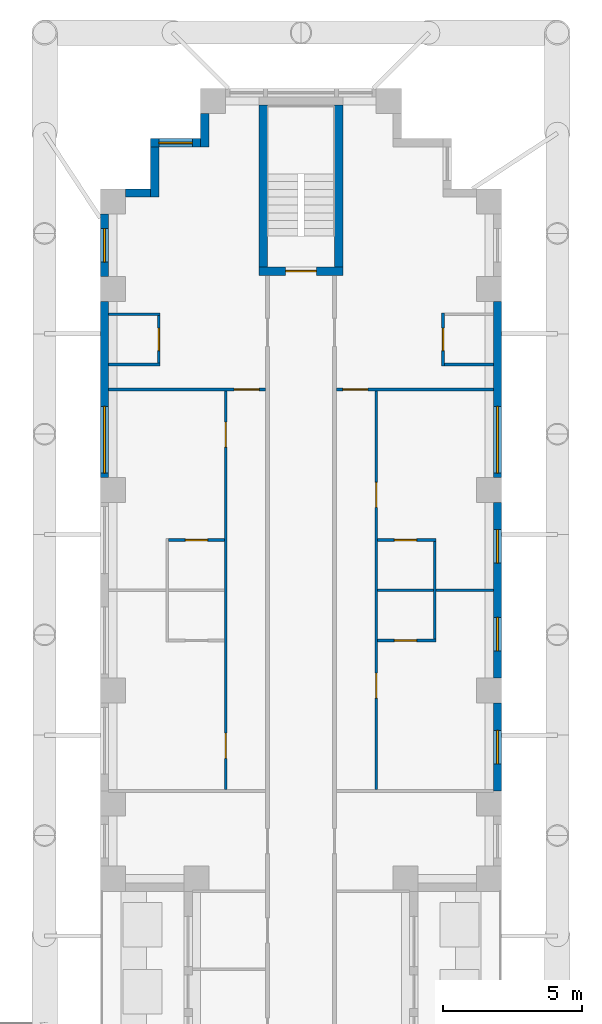
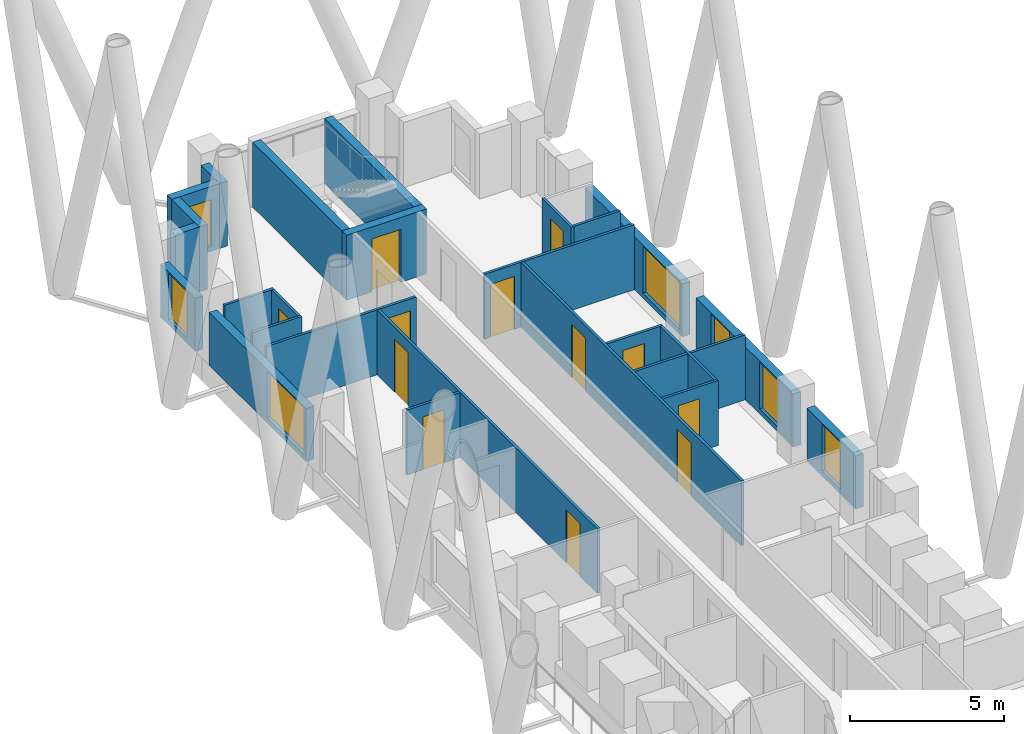
# One storey, part 12 of 16: 26 walls, 12 doors, 7 windows, 19 openings.
"""IFC4 building model written with IfcOpenShell, lengths in metres."""

from ifc_helpers import new_model, si_unit, direction, frame, frame_2d, origin, place, context, subcontext, project, spatial, rectangle, extrude, material, layer, layer_set, type_object, element, fill, save


model = new_model("IFC4")

# Units and contexts
model_context = context("Model", 3, precision=1e-05, world=origin(), true_north=direction((0.0, 1.0)))
body_context = subcontext(model_context, "Body", "Model", "MODEL_VIEW")
ifc_project = project(units=[si_unit("LENGTHUNIT", "METRE"), si_unit("AREAUNIT", "SQUARE_METRE"), si_unit("VOLUMEUNIT", "CUBIC_METRE"), si_unit("PLANEANGLEUNIT", "RADIAN"), si_unit("MASSUNIT", "GRAM", prefix="KILO")], contexts=[model_context])

# Site, building, storey
site_placement = place(None, origin())
site = spatial("IfcSite", under=ifc_project, at=site_placement, CompositionType="ELEMENT")
building_placement = place(site_placement, origin())
building = spatial("IfcBuilding", under=site, at=building_placement, Name="Fustian Cross Tower", CompositionType="ELEMENT")
storey_placement = place(building_placement, frame((0.0, 0.0, 20.699951171875)))
storey = spatial("IfcBuildingStorey", under=building, at=storey_placement, Name="L05", CompositionType="ELEMENT", Elevation=20.699951171875)

# Wall, opening, door
ifc_material_1 = material(Name="Plasterboard on steel stud", Category="steel")
ifc_layer_1 = layer(ifc_material_1, 0.10009765625)
ifc_layer_set_1 = layer_set([ifc_layer_1], Name="Plasterboard on steel stud")
wall_type_1 = type_object("IfcWallType", Name="PARTITION 100 STUD", PredefinedType="PARTITIONING", material=ifc_layer_set_1)
wall_1_placement = place(storey_placement, frame((-6.89990234375, 32.39990234375, 0.0), z_axis=(0.0, 0.0, 1.0), x_axis=(1.0, 0.0, 0.0)))
wall_1 = element("IfcWall", 1, at=wall_1_placement, inside=storey, type_object=wall_type_1, Name="Partition 26", PredefinedType="PARTITIONING", context=body_context, shape_type="SweptSolid", body=[
    extrude(rectangle(XDim=5.625, YDim=0.10009765625, at=frame_2d((2.8125, 0.0))), origin(), (0.0, 0.0, 1.0), 2.574951171875),
])
opening_1_placement = place(wall_1_placement, frame((4.5, 0.0, 0.0)))
opening_1 = element("IfcOpeningElement", 2, at=opening_1_placement, cuts=wall_1, Name="Opening D05027", PredefinedType="OPENING", context=body_context, shape_type="SweptSolid", body=[
    extrude(rectangle(XDim=0.89990234375, YDim=2.10009765625, at=frame_2d((0.449951171875, 1.050048828125))), frame((0.0, 0.06005859375, 0.0), z_axis=(0.0, -1.0, 0.0), x_axis=(1.0, 0.0, 0.0)), (0.0, 0.0, 1.0), 0.1201171875),
])
ifc_material_2 = material(Name="Painted timber", Category="wood")
door_type_1 = type_object("IfcDoorType", Name="SWING DOOR 900", OperationType="SINGLE_SWING_LEFT", PredefinedType="DOOR", material=ifc_material_2)
door_1_placement = place(opening_1_placement, frame((0.89990234375, 0.0, 0.0), z_axis=(0.0, 0.0, 1.0), x_axis=(-1.0, 0.0, 0.0)))
door_1 = element("IfcDoor", 3, at=door_1_placement, inside=storey, type_object=door_type_1, Name="Door D05027", OperationType="SINGLE_SWING_RIGHT", OverallHeight=2.10009765625, OverallWidth=0.89990234375, PredefinedType="DOOR", context=body_context, shape_type="SweptSolid", body=[
    extrude(rectangle(XDim=0.89990234375, YDim=2.10009765625, at=frame_2d((0.449951171875, 1.050048828125))), frame((0.0, 0.02490234375, 0.0), z_axis=(0.0, -1.0, 0.0), x_axis=(1.0, 0.0, 0.0)), (0.0, 0.0, 1.0), 0.050048828125),
])
fill(opening_1, door_1)

# Walls
for number, where, z_axis, x_axis, name in (
    (4, (-6.89990234375, 33.300048828125, 0.0), (0.0, 0.0, 1.0), (1.0, 0.0, 0.0), "Partition 27"),
    (5, (-6.89990234375, 35.10009765625, 0.0), (0.0, 0.0, 1.0), (1.0, 0.0, 0.0), "Partition 28"),
):
    element("IfcWall", number, at=place(storey_placement, frame(where, z_axis=z_axis, x_axis=x_axis)), inside=storey, type_object=wall_type_1, Name=name, PredefinedType="PARTITIONING", context=body_context, shape_type="SweptSolid", body=[
        extrude(rectangle(XDim=1.849853515625, YDim=0.10009765625, at=frame_2d((0.9248046875, 0.0))), origin(), (0.0, 0.0, 1.0), 2.574951171875),
    ])

# Wall, opening, door
wall_2_placement = place(storey_placement, frame((-5.10009765625, 33.35009765625, 0.0), z_axis=(0.0, 0.0, 1.0), x_axis=(0.0, 1.0, 0.0)))
wall_2 = element("IfcWall", 6, at=wall_2_placement, inside=storey, type_object=wall_type_1, Name="Partition 32", PredefinedType="PARTITIONING", context=body_context, shape_type="SweptSolid", body=[
    extrude(rectangle(XDim=1.699951171875, YDim=0.10009765625, at=frame_2d((0.85009765625, 0.0))), origin(), (0.0, 0.0, 1.0), 2.574951171875),
])
opening_2_placement = place(wall_2_placement, frame((0.449951171875, 0.0, 0.0)))
opening_2 = element("IfcOpeningElement", 7, at=opening_2_placement, cuts=wall_2, Name="Opening D05023", PredefinedType="OPENING", context=body_context, shape_type="SweptSolid", body=[
    extrude(rectangle(XDim=0.800048828125, YDim=2.10009765625, at=frame_2d((0.39990234375, 1.050048828125))), frame((0.0, 0.06005859375, 0.0), z_axis=(0.0, -1.0, 0.0), x_axis=(1.0, 0.0, 0.0)), (0.0, 0.0, 1.0), 0.1201171875),
])
ifc_material_3 = material(Name="Painted timber", Category="wood")
door_type_2 = type_object("IfcDoorType", Name="SWING DOOR 800", OperationType="SINGLE_SWING_LEFT", PredefinedType="DOOR", material=ifc_material_3)
door_2_placement = place(opening_2_placement, origin())
door_2 = element("IfcDoor", 8, at=door_2_placement, inside=storey, type_object=door_type_2, Name="Door D05023", OperationType="SINGLE_SWING_RIGHT", OverallHeight=2.10009765625, OverallWidth=0.800048828125, PredefinedType="DOOR", context=body_context, shape_type="SweptSolid", body=[
    extrude(rectangle(XDim=0.800048828125, YDim=2.10009765625, at=frame_2d((0.39990234375, 1.050048828125))), frame((0.0, 0.02490234375, 0.0), z_axis=(0.0, -1.0, 0.0), x_axis=(1.0, 0.0, 0.0)), (0.0, 0.0, 1.0), 0.050048828125),
])
fill(opening_2, door_2)

wall_3_placement = place(storey_placement, frame((-4.75, 27.0, 0.0), z_axis=(0.0, 0.0, 1.0), x_axis=(1.0, 0.0, 0.0)))
wall_3 = element("IfcWall", 9, at=wall_3_placement, inside=storey, type_object=wall_type_1, Name="Partition 41", PredefinedType="PARTITIONING", context=body_context, shape_type="SweptSolid", body=[
    extrude(rectangle(XDim=2.0, YDim=0.10009765625, at=frame_2d((1.0, 0.0))), origin(), (0.0, 0.0, 1.0), 2.574951171875),
])
opening_3_placement = place(wall_3_placement, frame((0.60009765625, 0.0, 0.0)))
opening_3 = element("IfcOpeningElement", 10, at=opening_3_placement, cuts=wall_3, Name="Opening D05029", PredefinedType="OPENING", context=body_context, shape_type="SweptSolid", body=[
    extrude(rectangle(XDim=0.800048828125, YDim=2.10009765625, at=frame_2d((0.39990234375, 1.050048828125))), frame((0.0, 0.06005859375, 0.0), z_axis=(0.0, -1.0, 0.0), x_axis=(1.0, 0.0, 0.0)), (0.0, 0.0, 1.0), 0.1201171875),
])
door_3_placement = place(opening_3_placement, frame((0.800048828125, 0.0, 0.0), z_axis=(0.0, 0.0, 1.0), x_axis=(-1.0, 0.0, 0.0)))
door_3 = element("IfcDoor", 11, at=door_3_placement, inside=storey, type_object=door_type_2, Name="Door D05029", OperationType="SINGLE_SWING_RIGHT", OverallHeight=2.10009765625, OverallWidth=0.800048828125, PredefinedType="DOOR", context=body_context, shape_type="SweptSolid", body=[
    extrude(rectangle(XDim=0.800048828125, YDim=2.10009765625, at=frame_2d((0.39990234375, 1.050048828125))), frame((0.0, 0.02490234375, 0.0), z_axis=(0.0, -1.0, 0.0), x_axis=(1.0, 0.0, 0.0)), (0.0, 0.0, 1.0), 0.050048828125),
])
fill(opening_3, door_3)

# Wall, openings, doors
wall_4_placement = place(storey_placement, frame((-2.699951171875, 18.050048828125, 0.0), z_axis=(0.0, 0.0, 1.0), x_axis=(0.0, 1.0, 0.0)))
wall_4 = element("IfcWall", 12, at=wall_4_placement, inside=storey, type_object=wall_type_1, Name="Partition 50", PredefinedType="PARTITIONING", context=body_context, shape_type="SweptSolid", body=[
    extrude(rectangle(XDim=14.300048828125, YDim=0.10009765625, at=frame_2d((7.14990234375, 0.0))), origin(), (0.0, 0.0, 1.0), 2.574951171875),
])
opening_4_placement = place(wall_4_placement, frame((1.1201171875, 0.0, 0.0)))
opening_4 = element("IfcOpeningElement", 13, at=opening_4_placement, cuts=wall_4, Name="Opening D05025", PredefinedType="OPENING", context=body_context, shape_type="SweptSolid", body=[
    extrude(rectangle(XDim=0.89990234375, YDim=2.10009765625, at=frame_2d((0.449951171875, 1.050048828125))), frame((0.0, 0.06005859375, 0.0), z_axis=(0.0, -1.0, 0.0), x_axis=(1.0, 0.0, 0.0)), (0.0, 0.0, 1.0), 0.1201171875),
])
opening_5_placement = place(wall_4_placement, frame((12.280029296875, 0.0, 0.0)))
opening_5 = element("IfcOpeningElement", 14, at=opening_5_placement, cuts=wall_4, Name="Opening D05026", PredefinedType="OPENING", context=body_context, shape_type="SweptSolid", body=[
    extrude(rectangle(XDim=0.89990234375, YDim=2.10009765625, at=frame_2d((0.449951171875, 1.050048828125))), frame((0.0, 0.06005859375, 0.0), z_axis=(0.0, -1.0, 0.0), x_axis=(1.0, 0.0, 0.0)), (0.0, 0.0, 1.0), 0.1201171875),
])
door_4_placement = place(opening_4_placement, frame((0.89990234375, 0.0, 0.0), z_axis=(0.0, 0.0, 1.0), x_axis=(-1.0, 0.0, 0.0)))
door_4 = element("IfcDoor", 15, at=door_4_placement, inside=storey, type_object=door_type_1, Name="Door D05025", OperationType="SINGLE_SWING_RIGHT", OverallHeight=2.10009765625, OverallWidth=0.89990234375, PredefinedType="DOOR", context=body_context, shape_type="SweptSolid", body=[
    extrude(rectangle(XDim=0.89990234375, YDim=2.10009765625, at=frame_2d((0.449951171875, 1.050048828125))), frame((0.0, 0.02490234375, 0.0), z_axis=(0.0, -1.0, 0.0), x_axis=(1.0, 0.0, 0.0)), (0.0, 0.0, 1.0), 0.050048828125),
])
fill(opening_4, door_4)
door_5_placement = place(opening_5_placement, frame((0.89990234375, 0.0, 0.0), z_axis=(0.0, 0.0, 1.0), x_axis=(-1.0, 0.0, 0.0)))
door_5 = element("IfcDoor", 16, at=door_5_placement, inside=storey, type_object=door_type_1, Name="Door D05026", OperationType="SINGLE_SWING_LEFT", OverallHeight=2.10009765625, OverallWidth=0.89990234375, PredefinedType="DOOR", context=body_context, shape_type="SweptSolid", body=[
    extrude(rectangle(XDim=0.89990234375, YDim=2.10009765625, at=frame_2d((0.449951171875, 1.050048828125))), frame((0.0, 0.02490234375, 0.0), z_axis=(0.0, -1.0, 0.0), x_axis=(1.0, 0.0, 0.0)), (0.0, 0.0, 1.0), 0.050048828125),
])
fill(opening_5, door_5)

# Wall, opening, door
wall_5_placement = place(storey_placement, frame((1.27490234375, 32.39990234375, 0.0), z_axis=(0.0, 0.0, 1.0), x_axis=(1.0, 0.0, 0.0)))
wall_5 = element("IfcWall", 17, at=wall_5_placement, inside=storey, type_object=wall_type_1, Name="Partition 63", PredefinedType="PARTITIONING", context=body_context, shape_type="SweptSolid", body=[
    extrude(rectangle(XDim=5.625, YDim=0.10009765625, at=frame_2d((2.8125, 0.0))), origin(), (0.0, 0.0, 1.0), 2.574951171875),
])
opening_6_placement = place(wall_5_placement, frame((0.22509765625, 0.0, 0.0)))
opening_6 = element("IfcOpeningElement", 18, at=opening_6_placement, cuts=wall_5, Name="Opening D05034", PredefinedType="OPENING", context=body_context, shape_type="SweptSolid", body=[
    extrude(rectangle(XDim=0.89990234375, YDim=2.10009765625, at=frame_2d((0.449951171875, 1.050048828125))), frame((0.0, 0.06005859375, 0.0), z_axis=(0.0, -1.0, 0.0), x_axis=(1.0, 0.0, 0.0)), (0.0, 0.0, 1.0), 0.1201171875),
])
door_6_placement = place(opening_6_placement, frame((0.89990234375, 0.0, 0.0), z_axis=(0.0, 0.0, 1.0), x_axis=(-1.0, 0.0, 0.0)))
door_6 = element("IfcDoor", 19, at=door_6_placement, inside=storey, type_object=door_type_1, Name="Door D05034", OperationType="SINGLE_SWING_RIGHT", OverallHeight=2.10009765625, OverallWidth=0.89990234375, PredefinedType="DOOR", context=body_context, shape_type="SweptSolid", body=[
    extrude(rectangle(XDim=0.89990234375, YDim=2.10009765625, at=frame_2d((0.449951171875, 1.050048828125))), frame((0.0, 0.02490234375, 0.0), z_axis=(0.0, -1.0, 0.0), x_axis=(1.0, 0.0, 0.0)), (0.0, 0.0, 1.0), 0.050048828125),
])
fill(opening_6, door_6)

# Wall, openings, doors
wall_6_placement = place(storey_placement, frame((2.699951171875, 18.050048828125, 0.0), z_axis=(0.0, 0.0, 1.0), x_axis=(0.0, 1.0, 0.0)))
wall_6 = element("IfcWall", 20, at=wall_6_placement, inside=storey, type_object=wall_type_1, Name="Partition 75", PredefinedType="PARTITIONING", context=body_context, shape_type="SweptSolid", body=[
    extrude(rectangle(XDim=14.300048828125, YDim=0.10009765625, at=frame_2d((7.14990234375, 0.0))), origin(), (0.0, 0.0, 1.0), 2.574951171875),
])
opening_7_placement = place(wall_6_placement, frame((3.280029296875, 0.0, 0.0)))
opening_7 = element("IfcOpeningElement", 21, at=opening_7_placement, cuts=wall_6, Name="Opening D05035", PredefinedType="OPENING", context=body_context, shape_type="SweptSolid", body=[
    extrude(rectangle(XDim=0.89990234375, YDim=2.10009765625, at=frame_2d((0.449951171875, 1.050048828125))), frame((0.0, 0.06005859375, 0.0), z_axis=(0.0, -1.0, 0.0), x_axis=(1.0, 0.0, 0.0)), (0.0, 0.0, 1.0), 0.1201171875),
])
opening_8_placement = place(wall_6_placement, frame((10.119873046875, 0.0, 0.0)))
opening_8 = element("IfcOpeningElement", 22, at=opening_8_placement, cuts=wall_6, Name="Opening D05036", PredefinedType="OPENING", context=body_context, shape_type="SweptSolid", body=[
    extrude(rectangle(XDim=0.89990234375, YDim=2.10009765625, at=frame_2d((0.449951171875, 1.050048828125))), frame((0.0, 0.06005859375, 0.0), z_axis=(0.0, -1.0, 0.0), x_axis=(1.0, 0.0, 0.0)), (0.0, 0.0, 1.0), 0.1201171875),
])
door_7_placement = place(opening_7_placement, origin())
door_7 = element("IfcDoor", 23, at=door_7_placement, inside=storey, type_object=door_type_1, Name="Door D05035", OperationType="SINGLE_SWING_LEFT", OverallHeight=2.10009765625, OverallWidth=0.89990234375, PredefinedType="DOOR", context=body_context, shape_type="SweptSolid", body=[
    extrude(rectangle(XDim=0.89990234375, YDim=2.10009765625, at=frame_2d((0.449951171875, 1.050048828125))), frame((0.0, 0.02490234375, 0.0), z_axis=(0.0, -1.0, 0.0), x_axis=(1.0, 0.0, 0.0)), (0.0, 0.0, 1.0), 0.050048828125),
])
fill(opening_7, door_7)
door_8_placement = place(opening_8_placement, origin())
door_8 = element("IfcDoor", 24, at=door_8_placement, inside=storey, type_object=door_type_1, Name="Door D05036", OperationType="SINGLE_SWING_RIGHT", OverallHeight=2.10009765625, OverallWidth=0.89990234375, PredefinedType="DOOR", context=body_context, shape_type="SweptSolid", body=[
    extrude(rectangle(XDim=0.89990234375, YDim=2.10009765625, at=frame_2d((0.449951171875, 1.050048828125))), frame((0.0, 0.02490234375, 0.0), z_axis=(0.0, -1.0, 0.0), x_axis=(1.0, 0.0, 0.0)), (0.0, 0.0, 1.0), 0.050048828125),
])
fill(opening_8, door_8)

# Wall, opening, door
wall_7_placement = place(storey_placement, frame((2.75, 23.39990234375, 0.0), z_axis=(0.0, 0.0, 1.0), x_axis=(1.0, 0.0, 0.0)))
wall_7 = element("IfcWall", 25, at=wall_7_placement, inside=storey, type_object=wall_type_1, Name="Partition 76", PredefinedType="PARTITIONING", context=body_context, shape_type="SweptSolid", body=[
    extrude(rectangle(XDim=2.10009765625, YDim=0.10009765625, at=frame_2d((1.050048828125, 0.0))), origin(), (0.0, 0.0, 1.0), 2.574951171875),
])
opening_9_placement = place(wall_7_placement, frame((0.60009765625, 0.0, 0.0)))
opening_9 = element("IfcOpeningElement", 26, at=opening_9_placement, cuts=wall_7, Name="Opening D05037", PredefinedType="OPENING", context=body_context, shape_type="SweptSolid", body=[
    extrude(rectangle(XDim=0.800048828125, YDim=2.10009765625, at=frame_2d((0.39990234375, 1.050048828125))), frame((0.0, 0.06005859375, 0.0), z_axis=(0.0, -1.0, 0.0), x_axis=(1.0, 0.0, 0.0)), (0.0, 0.0, 1.0), 0.1201171875),
])
door_9_placement = place(opening_9_placement, origin())
door_9 = element("IfcDoor", 27, at=door_9_placement, inside=storey, type_object=door_type_2, Name="Door D05037", OperationType="SINGLE_SWING_LEFT", OverallHeight=2.10009765625, OverallWidth=0.800048828125, PredefinedType="DOOR", context=body_context, shape_type="SweptSolid", body=[
    extrude(rectangle(XDim=0.800048828125, YDim=2.10009765625, at=frame_2d((0.39990234375, 1.050048828125))), frame((0.0, 0.02490234375, 0.0), z_axis=(0.0, -1.0, 0.0), x_axis=(1.0, 0.0, 0.0)), (0.0, 0.0, 1.0), 0.050048828125),
])
fill(opening_9, door_9)

# Wall
wall_8_placement = place(storey_placement, frame((2.75, 25.199951171875, 0.0), z_axis=(0.0, 0.0, 1.0), x_axis=(1.0, 0.0, 0.0)))
element("IfcWall", 28, at=wall_8_placement, inside=storey, type_object=wall_type_1, Name="Partition 77", PredefinedType="PARTITIONING", context=body_context, shape_type="SweptSolid", body=[
    extrude(rectangle(XDim=4.14990234375, YDim=0.10009765625, at=frame_2d((2.074951171875, 0.0))), origin(), (0.0, 0.0, 1.0), 2.574951171875),
])

# Wall, opening, door
wall_9_placement = place(storey_placement, frame((2.75, 27.0, 0.0), z_axis=(0.0, 0.0, 1.0), x_axis=(1.0, 0.0, 0.0)))
wall_9 = element("IfcWall", 29, at=wall_9_placement, inside=storey, type_object=wall_type_1, Name="Partition 78", PredefinedType="PARTITIONING", context=body_context, shape_type="SweptSolid", body=[
    extrude(rectangle(XDim=2.10009765625, YDim=0.10009765625, at=frame_2d((1.050048828125, 0.0))), origin(), (0.0, 0.0, 1.0), 2.574951171875),
])
opening_10_placement = place(wall_9_placement, frame((0.60009765625, 0.0, 0.0)))
opening_10 = element("IfcOpeningElement", 30, at=opening_10_placement, cuts=wall_9, Name="Opening D05038", PredefinedType="OPENING", context=body_context, shape_type="SweptSolid", body=[
    extrude(rectangle(XDim=0.800048828125, YDim=2.10009765625, at=frame_2d((0.39990234375, 1.050048828125))), frame((0.0, 0.06005859375, 0.0), z_axis=(0.0, -1.0, 0.0), x_axis=(1.0, 0.0, 0.0)), (0.0, 0.0, 1.0), 0.1201171875),
])
door_10_placement = place(opening_10_placement, frame((0.800048828125, 0.0, 0.0), z_axis=(0.0, 0.0, 1.0), x_axis=(-1.0, 0.0, 0.0)))
door_10 = element("IfcDoor", 31, at=door_10_placement, inside=storey, type_object=door_type_2, Name="Door D05038", OperationType="SINGLE_SWING_RIGHT", OverallHeight=2.10009765625, OverallWidth=0.800048828125, PredefinedType="DOOR", context=body_context, shape_type="SweptSolid", body=[
    extrude(rectangle(XDim=0.800048828125, YDim=2.10009765625, at=frame_2d((0.39990234375, 1.050048828125))), frame((0.0, 0.02490234375, 0.0), z_axis=(0.0, -1.0, 0.0), x_axis=(1.0, 0.0, 0.0)), (0.0, 0.0, 1.0), 0.050048828125),
])
fill(opening_10, door_10)

# Wall
wall_10_placement = place(storey_placement, frame((4.800048828125, 23.449951171875, 0.0), z_axis=(0.0, 0.0, 1.0), x_axis=(0.0, 1.0, 0.0)))
element("IfcWall", 32, at=wall_10_placement, inside=storey, type_object=wall_type_1, Name="Partition 84", PredefinedType="PARTITIONING", context=body_context, shape_type="SweptSolid", body=[
    extrude(rectangle(XDim=3.5, YDim=0.10009765625, at=frame_2d((1.75, 0.0))), origin(), (0.0, 0.0, 1.0), 2.574951171875),
])

# Wall, opening, door
wall_11_placement = place(storey_placement, frame((5.10009765625, 33.25, 0.0), z_axis=(0.0, 0.0, 1.0), x_axis=(0.0, 1.0, 0.0)))
wall_11 = element("IfcWall", 33, at=wall_11_placement, inside=storey, type_object=wall_type_1, Name="Partition 88", PredefinedType="PARTITIONING", context=body_context, shape_type="SweptSolid", body=[
    extrude(rectangle(XDim=1.89990234375, YDim=0.10009765625, at=frame_2d((0.949951171875, 0.0))), origin(), (0.0, 0.0, 1.0), 2.574951171875),
])
opening_11_placement = place(wall_11_placement, frame((0.550048828125, 0.0, 0.0)))
opening_11 = element("IfcOpeningElement", 34, at=opening_11_placement, cuts=wall_11, Name="Opening D05032", PredefinedType="OPENING", context=body_context, shape_type="SweptSolid", body=[
    extrude(rectangle(XDim=0.800048828125, YDim=2.10009765625, at=frame_2d((0.39990234375, 1.050048828125))), frame((0.0, 0.06005859375, 0.0), z_axis=(0.0, -1.0, 0.0), x_axis=(1.0, 0.0, 0.0)), (0.0, 0.0, 1.0), 0.1201171875),
])
door_11_placement = place(opening_11_placement, frame((0.800048828125, 0.0, 0.0), z_axis=(0.0, 0.0, 1.0), x_axis=(-1.0, 0.0, 0.0)))
door_11 = element("IfcDoor", 35, at=door_11_placement, inside=storey, type_object=door_type_2, Name="Door D05032", OperationType="SINGLE_SWING_LEFT", OverallHeight=2.10009765625, OverallWidth=0.800048828125, PredefinedType="DOOR", context=body_context, shape_type="SweptSolid", body=[
    extrude(rectangle(XDim=0.800048828125, YDim=2.10009765625, at=frame_2d((0.39990234375, 1.050048828125))), frame((0.0, 0.02490234375, 0.0), z_axis=(0.0, -1.0, 0.0), x_axis=(1.0, 0.0, 0.0)), (0.0, 0.0, 1.0), 0.050048828125),
])
fill(opening_11, door_11)

# Wall
wall_12_placement = place(storey_placement, frame((5.14990234375, 33.300048828125, 0.0), z_axis=(0.0, 0.0, 1.0), x_axis=(1.0, 0.0, 0.0)))
element("IfcWall", 36, at=wall_12_placement, inside=storey, type_object=wall_type_1, Name="Partition 89", PredefinedType="PARTITIONING", context=body_context, shape_type="SweptSolid", body=[
    extrude(rectangle(XDim=1.75, YDim=0.10009765625, at=frame_2d((0.875, 0.0))), origin(), (0.0, 0.0, 1.0), 2.574951171875),
])

# Wall, opening, door
ifc_material_4 = material(Name="Concrete C50/60", Category="concrete")
ifc_layer_2 = layer(ifc_material_4, 0.300048828125)
ifc_layer_set_2 = layer_set([ifc_layer_2], Name="Concrete C50/60")
wall_type_2 = type_object("IfcWallType", Name="STAIR ENCLOSURE WALL 300 C50/60", PredefinedType="SHEAR", material=ifc_layer_set_2)
wall_13_placement = place(storey_placement, frame((-1.5, 36.64990234375, 0.0), z_axis=(0.0, 0.0, 1.0), x_axis=(1.0, 0.0, 0.0)))
wall_13 = element("IfcWall", 37, at=wall_13_placement, inside=storey, type_object=wall_type_2, Name="Stair enclosure wall", PredefinedType="SHEAR", context=body_context, shape_type="SweptSolid", body=[
    extrude(rectangle(XDim=3.0, YDim=0.300048828125, at=frame_2d((1.5, 0.0))), origin(), (0.0, 0.0, 1.0), 2.574951171875),
])
opening_12_placement = place(wall_13_placement, frame((0.949951171875, 0.0, 0.0)))
opening_12 = element("IfcOpeningElement", 38, at=opening_12_placement, cuts=wall_13, Name="Opening CD-05-31", PredefinedType="OPENING", context=body_context, shape_type="SweptSolid", body=[
    extrude(rectangle(XDim=1.10009765625, YDim=2.10009765625, at=frame_2d((0.550048828125, 1.050048828125))), frame((0.0, 0.159912109375, 0.0), z_axis=(0.0, -1.0, 0.0), x_axis=(1.0, 0.0, 0.0)), (0.0, 0.0, 1.0), 0.320068359375),
])
ifc_material_5 = material(Name="Steel", Category="steel")
door_type_3 = type_object("IfcDoorType", Name="FIRE DOOR FD60S 1100X2100", OperationType="SINGLE_SWING_LEFT", PredefinedType="DOOR", material=ifc_material_5)
door_12_placement = place(opening_12_placement, origin())
door_12 = element("IfcDoor", 39, at=door_12_placement, inside=storey, type_object=door_type_3, Name="Core door CD-05-31", OperationType="SINGLE_SWING_LEFT", OverallHeight=2.10009765625, OverallWidth=1.10009765625, PredefinedType="DOOR", context=body_context, shape_type="SweptSolid", body=[
    extrude(rectangle(XDim=1.10009765625, YDim=2.10009765625, at=frame_2d((0.550048828125, 1.050048828125))), frame((0.0, 0.02490234375, 0.0), z_axis=(0.0, -1.0, 0.0), x_axis=(1.0, 0.0, 0.0)), (0.0, 0.0, 1.0), 0.050048828125),
])
fill(opening_12, door_12)

# Walls
for number, where, z_axis, x_axis, name in (
    (40, (-1.35009765625, 36.800048828125, 0.0), (0.0, 0.0, 1.0), (0.0, 1.0, 0.0), "Stair enclosure wall"),
    (41, (1.35009765625, 36.800048828125, 0.0), (0.0, 0.0, 1.0), (0.0, 1.0, 0.0), "Stair enclosure wall"),
):
    element("IfcWall", number, at=place(storey_placement, frame(where, z_axis=z_axis, x_axis=x_axis)), inside=storey, type_object=wall_type_2, Name=name, PredefinedType="SHEAR", context=body_context, shape_type="SweptSolid", body=[
        extrude(rectangle(XDim=5.800048828125, YDim=0.300048828125, at=frame_2d((2.89990234375, 0.0))), origin(), (0.0, 0.0, 1.0), 2.574951171875),
    ])

# Wall, opening, window
ifc_material_6 = material(Name="Dark aluminium cladding on insulated backing wall", Category="aluminium")
ifc_layer_3 = layer(ifc_material_6, 0.300048828125)
ifc_layer_set_3 = layer_set([ifc_layer_3], Name="Dark aluminium cladding on insulated backing wall")
wall_type_3 = type_object("IfcWallType", Name="XW1 EXTERNAL WALL 300", PredefinedType="SOLIDWALL", material=ifc_layer_set_3)
wall_14_placement = place(storey_placement, frame((7.050048828125, 18.0, 0.0), z_axis=(0.0, 0.0, 1.0), x_axis=(0.0, 1.0, 0.0)))
wall_14 = element("IfcWall", 42, at=wall_14_placement, inside=storey, type_object=wall_type_3, Name="External wall", PredefinedType="SOLIDWALL", context=body_context, shape_type="SweptSolid", body=[
    extrude(rectangle(XDim=3.14990234375, YDim=0.300048828125, at=frame_2d((1.574951171875, 0.0))), origin(), (0.0, 0.0, 1.0), 2.10009765625),
])
opening_13_placement = place(wall_14_placement, frame((0.97509765625, 0.0, 0.199951171875)))
opening_13 = element("IfcOpeningElement", 43, at=opening_13_placement, cuts=wall_14, Name="Opening WN3", PredefinedType="OPENING", context=body_context, shape_type="SweptSolid", body=[
    extrude(rectangle(XDim=1.199951171875, YDim=1.85009765625, at=frame_2d((0.60009765625, 0.925048828125))), frame((0.0, 0.159912109375, 0.0), z_axis=(0.0, -1.0, 0.0), x_axis=(1.0, 0.0, 0.0)), (0.0, 0.0, 1.0), 0.320068359375),
])
ifc_material_7 = material(Name="Dark anodised aluminium and double glazing", Category="aluminium")
window_type_1 = type_object("IfcWindowType", Name="WN3 WINDOW 1200X1850", PartitioningType="SINGLE_PANEL", PredefinedType="WINDOW", material=ifc_material_7)
window_1_placement = place(opening_13_placement, origin())
window_1 = element("IfcWindow", 44, at=window_1_placement, inside=storey, type_object=window_type_1, Name="Window", OverallHeight=1.85009765625, OverallWidth=1.199951171875, PartitioningType="SINGLE_PANEL", PredefinedType="WINDOW", context=body_context, shape_type="SweptSolid", body=[
    extrude(rectangle(XDim=1.199951171875, YDim=1.85009765625, at=frame_2d((0.60009765625, 0.925048828125))), frame((0.0, 0.030029296875, 0.0), z_axis=(0.0, -1.0, 0.0), x_axis=(1.0, 0.0, 0.0)), (0.0, 0.0, 1.0), 0.06005859375),
])
fill(opening_13, window_1)

# Wall, openings, windows
wall_15_placement = place(storey_placement, frame((7.050048828125, 22.050048828125, 0.0), z_axis=(0.0, 0.0, 1.0), x_axis=(0.0, 1.0, 0.0)))
wall_15 = element("IfcWall", 45, at=wall_15_placement, inside=storey, type_object=wall_type_3, Name="External wall", PredefinedType="SOLIDWALL", context=body_context, shape_type="SweptSolid", body=[
    extrude(rectangle(XDim=6.300048828125, YDim=0.300048828125, at=frame_2d((3.14990234375, 0.0))), origin(), (0.0, 0.0, 1.0), 2.10009765625),
])
opening_14_placement = place(wall_15_placement, frame((0.97509765625, 0.0, 0.199951171875)))
opening_14 = element("IfcOpeningElement", 46, at=opening_14_placement, cuts=wall_15, Name="Opening WN3", PredefinedType="OPENING", context=body_context, shape_type="SweptSolid", body=[
    extrude(rectangle(XDim=1.199951171875, YDim=1.85009765625, at=frame_2d((0.60009765625, 0.925048828125))), frame((0.0, 0.159912109375, 0.0), z_axis=(0.0, -1.0, 0.0), x_axis=(1.0, 0.0, 0.0)), (0.0, 0.0, 1.0), 0.320068359375),
])
opening_15_placement = place(wall_15_placement, frame((4.125, 0.0, 0.199951171875)))
opening_15 = element("IfcOpeningElement", 47, at=opening_15_placement, cuts=wall_15, Name="Opening WN3", PredefinedType="OPENING", context=body_context, shape_type="SweptSolid", body=[
    extrude(rectangle(XDim=1.199951171875, YDim=1.85009765625, at=frame_2d((0.60009765625, 0.925048828125))), frame((0.0, 0.159912109375, 0.0), z_axis=(0.0, -1.0, 0.0), x_axis=(1.0, 0.0, 0.0)), (0.0, 0.0, 1.0), 0.320068359375),
])
window_2_placement = place(opening_14_placement, origin())
window_2 = element("IfcWindow", 48, at=window_2_placement, inside=storey, type_object=window_type_1, Name="Window", OverallHeight=1.85009765625, OverallWidth=1.199951171875, PartitioningType="SINGLE_PANEL", PredefinedType="WINDOW", context=body_context, shape_type="SweptSolid", body=[
    extrude(rectangle(XDim=1.199951171875, YDim=1.85009765625, at=frame_2d((0.60009765625, 0.925048828125))), frame((0.0, 0.030029296875, 0.0), z_axis=(0.0, -1.0, 0.0), x_axis=(1.0, 0.0, 0.0)), (0.0, 0.0, 1.0), 0.06005859375),
])
fill(opening_14, window_2)
window_3_placement = place(opening_15_placement, origin())
window_3 = element("IfcWindow", 49, at=window_3_placement, inside=storey, type_object=window_type_1, Name="Window", OverallHeight=1.85009765625, OverallWidth=1.199951171875, PartitioningType="SINGLE_PANEL", PredefinedType="WINDOW", context=body_context, shape_type="SweptSolid", body=[
    extrude(rectangle(XDim=1.199951171875, YDim=1.85009765625, at=frame_2d((0.60009765625, 0.925048828125))), frame((0.0, 0.030029296875, 0.0), z_axis=(0.0, -1.0, 0.0), x_axis=(1.0, 0.0, 0.0)), (0.0, 0.0, 1.0), 0.06005859375),
])
fill(opening_15, window_3)

# Wall, opening, window
wall_16_placement = place(storey_placement, frame((7.050048828125, 29.25, 0.0), z_axis=(0.0, 0.0, 1.0), x_axis=(0.0, 1.0, 0.0)))
wall_16 = element("IfcWall", 50, at=wall_16_placement, inside=storey, type_object=wall_type_3, Name="External wall", PredefinedType="SOLIDWALL", context=body_context, shape_type="SweptSolid", body=[
    extrude(rectangle(XDim=6.300048828125, YDim=0.300048828125, at=frame_2d((3.14990234375, 0.0))), origin(), (0.0, 0.0, 1.0), 2.10009765625),
])
opening_16_placement = place(wall_16_placement, frame((0.14990234375, 0.0, 0.199951171875)))
opening_16 = element("IfcOpeningElement", 51, at=opening_16_placement, cuts=wall_16, Name="Opening WN1", PredefinedType="OPENING", context=body_context, shape_type="SweptSolid", body=[
    extrude(rectangle(XDim=2.39990234375, YDim=1.85009765625, at=frame_2d((1.199951171875, 0.925048828125))), frame((0.0, 0.159912109375, 0.0), z_axis=(0.0, -1.0, 0.0), x_axis=(1.0, 0.0, 0.0)), (0.0, 0.0, 1.0), 0.320068359375),
])
ifc_material_8 = material(Name="Dark anodised aluminium and double glazing", Category="aluminium")
window_type_2 = type_object("IfcWindowType", Name="WN1 WINDOW 2400X1850", PartitioningType="SINGLE_PANEL", PredefinedType="WINDOW", material=ifc_material_8)
window_4_placement = place(opening_16_placement, origin())
window_4 = element("IfcWindow", 52, at=window_4_placement, inside=storey, type_object=window_type_2, Name="Window", OverallHeight=1.85009765625, OverallWidth=2.39990234375, PartitioningType="SINGLE_PANEL", PredefinedType="WINDOW", context=body_context, shape_type="SweptSolid", body=[
    extrude(rectangle(XDim=2.39990234375, YDim=1.85009765625, at=frame_2d((1.199951171875, 0.925048828125))), frame((0.0, 0.030029296875, 0.0), z_axis=(0.0, -1.0, 0.0), x_axis=(1.0, 0.0, 0.0)), (0.0, 0.0, 1.0), 0.06005859375),
])
fill(opening_16, window_4)

# Wall
wall_17_placement = place(storey_placement, frame((-3.449951171875, 42.300048828125, 0.0), z_axis=(0.0, 0.0, 1.0), x_axis=(0.0, -1.0, 0.0)))
element("IfcWall", 53, at=wall_17_placement, inside=storey, type_object=wall_type_3, Name="External wall", PredefinedType="SOLIDWALL", context=body_context, shape_type="SweptSolid", body=[
    extrude(rectangle(XDim=1.199951171875, YDim=0.300048828125, at=frame_2d((0.60009765625, 0.0))), origin(), (0.0, 0.0, 1.0), 2.574951171875),
])

# Wall, opening, window
wall_18_placement = place(storey_placement, frame((-3.60009765625, 41.25, 0.0), z_axis=(0.0, 0.0, 1.0), x_axis=(-1.0, 0.0, 0.0)))
wall_18 = element("IfcWall", 54, at=wall_18_placement, inside=storey, type_object=wall_type_3, Name="External wall", PredefinedType="SOLIDWALL", context=body_context, shape_type="SweptSolid", body=[
    extrude(rectangle(XDim=1.7998046875, YDim=0.300048828125, at=frame_2d((0.89990234375, 0.0))), origin(), (0.0, 0.0, 1.0), 2.574951171875),
])
opening_17_placement = place(wall_18_placement, frame((0.300048828125, 0.0, 0.199951171875)))
opening_17 = element("IfcOpeningElement", 55, at=opening_17_placement, cuts=wall_18, Name="Opening WN3", PredefinedType="OPENING", context=body_context, shape_type="SweptSolid", body=[
    extrude(rectangle(XDim=1.199951171875, YDim=1.85009765625, at=frame_2d((0.60009765625, 0.925048828125))), frame((0.0, 0.159912109375, 0.0), z_axis=(0.0, -1.0, 0.0), x_axis=(1.0, 0.0, 0.0)), (0.0, 0.0, 1.0), 0.320068359375),
])
window_5_placement = place(opening_17_placement, origin())
window_5 = element("IfcWindow", 56, at=window_5_placement, inside=storey, type_object=window_type_1, Name="Window", OverallHeight=1.85009765625, OverallWidth=1.199951171875, PartitioningType="SINGLE_PANEL", PredefinedType="WINDOW", context=body_context, shape_type="SweptSolid", body=[
    extrude(rectangle(XDim=1.199951171875, YDim=1.85009765625, at=frame_2d((0.60009765625, 0.925048828125))), frame((0.0, 0.030029296875, 0.0), z_axis=(0.0, -1.0, 0.0), x_axis=(1.0, 0.0, 0.0)), (0.0, 0.0, 1.0), 0.06005859375),
])
fill(opening_17, window_5)

# Walls
wall_19_placement = place(storey_placement, frame((-5.25, 41.10009765625, 0.0), z_axis=(0.0, 0.0, 1.0), x_axis=(0.0, -1.0, 0.0)))
element("IfcWall", 57, at=wall_19_placement, inside=storey, type_object=wall_type_3, Name="External wall", PredefinedType="SOLIDWALL", context=body_context, shape_type="SweptSolid", body=[
    extrude(rectangle(XDim=1.800048828125, YDim=0.300048828125, at=frame_2d((0.89990234375, 0.0))), origin(), (0.0, 0.0, 1.0), 2.574951171875),
])
wall_20_placement = place(storey_placement, frame((-5.39990234375, 39.449951171875, 0.0), z_axis=(0.0, 0.0, 1.0), x_axis=(-1.0, 0.0, 0.0)))
element("IfcWall", 58, at=wall_20_placement, inside=storey, type_object=wall_type_3, Name="External wall", PredefinedType="SOLIDWALL", context=body_context, shape_type="SweptSolid", body=[
    extrude(rectangle(XDim=0.900146484375, YDim=0.300048828125, at=frame_2d((0.4501953125, 0.0))), origin(), (0.0, 0.0, 1.0), 2.574951171875),
])

# Wall, opening, window
wall_21_placement = place(storey_placement, frame((-7.050048828125, 38.699951171875, 0.0), z_axis=(0.0, 0.0, 1.0), x_axis=(0.0, -1.0, 0.0)))
wall_21 = element("IfcWall", 59, at=wall_21_placement, inside=storey, type_object=wall_type_3, Name="External wall", PredefinedType="SOLIDWALL", context=body_context, shape_type="SweptSolid", body=[
    extrude(rectangle(XDim=2.25, YDim=0.300048828125, at=frame_2d((1.125, 0.0))), origin(), (0.0, 0.0, 1.0), 2.10009765625),
])
opening_18_placement = place(wall_21_placement, frame((0.52490234375, 0.0, 0.199951171875)))
opening_18 = element("IfcOpeningElement", 60, at=opening_18_placement, cuts=wall_21, Name="Opening WN3", PredefinedType="OPENING", context=body_context, shape_type="SweptSolid", body=[
    extrude(rectangle(XDim=1.199951171875, YDim=1.85009765625, at=frame_2d((0.60009765625, 0.925048828125))), frame((0.0, 0.159912109375, 0.0), z_axis=(0.0, -1.0, 0.0), x_axis=(1.0, 0.0, 0.0)), (0.0, 0.0, 1.0), 0.320068359375),
])
window_6_placement = place(opening_18_placement, origin())
window_6 = element("IfcWindow", 61, at=window_6_placement, inside=storey, type_object=window_type_1, Name="Window", OverallHeight=1.85009765625, OverallWidth=1.199951171875, PartitioningType="SINGLE_PANEL", PredefinedType="WINDOW", context=body_context, shape_type="SweptSolid", body=[
    extrude(rectangle(XDim=1.199951171875, YDim=1.85009765625, at=frame_2d((0.60009765625, 0.925048828125))), frame((0.0, 0.030029296875, 0.0), z_axis=(0.0, -1.0, 0.0), x_axis=(1.0, 0.0, 0.0)), (0.0, 0.0, 1.0), 0.06005859375),
])
fill(opening_18, window_6)

wall_22_placement = place(storey_placement, frame((-7.050048828125, 35.550048828125, 0.0), z_axis=(0.0, 0.0, 1.0), x_axis=(0.0, -1.0, 0.0)))
wall_22 = element("IfcWall", 62, at=wall_22_placement, inside=storey, type_object=wall_type_3, Name="External wall", PredefinedType="SOLIDWALL", context=body_context, shape_type="SweptSolid", body=[
    extrude(rectangle(XDim=6.300048828125, YDim=0.300048828125, at=frame_2d((3.14990234375, 0.0))), origin(), (0.0, 0.0, 1.0), 2.10009765625),
])
opening_19_placement = place(wall_22_placement, frame((3.75, 0.0, 0.199951171875)))
opening_19 = element("IfcOpeningElement", 63, at=opening_19_placement, cuts=wall_22, Name="Opening WN1", PredefinedType="OPENING", context=body_context, shape_type="SweptSolid", body=[
    extrude(rectangle(XDim=2.39990234375, YDim=1.85009765625, at=frame_2d((1.199951171875, 0.925048828125))), frame((0.0, 0.159912109375, 0.0), z_axis=(0.0, -1.0, 0.0), x_axis=(1.0, 0.0, 0.0)), (0.0, 0.0, 1.0), 0.320068359375),
])
window_7_placement = place(opening_19_placement, origin())
window_7 = element("IfcWindow", 64, at=window_7_placement, inside=storey, type_object=window_type_2, Name="Window", OverallHeight=1.85009765625, OverallWidth=2.39990234375, PartitioningType="SINGLE_PANEL", PredefinedType="WINDOW", context=body_context, shape_type="SweptSolid", body=[
    extrude(rectangle(XDim=2.39990234375, YDim=1.85009765625, at=frame_2d((1.199951171875, 0.925048828125))), frame((0.0, 0.030029296875, 0.0), z_axis=(0.0, -1.0, 0.0), x_axis=(1.0, 0.0, 0.0)), (0.0, 0.0, 1.0), 0.06005859375),
])
fill(opening_19, window_7)

save(model, "model.ifc")
